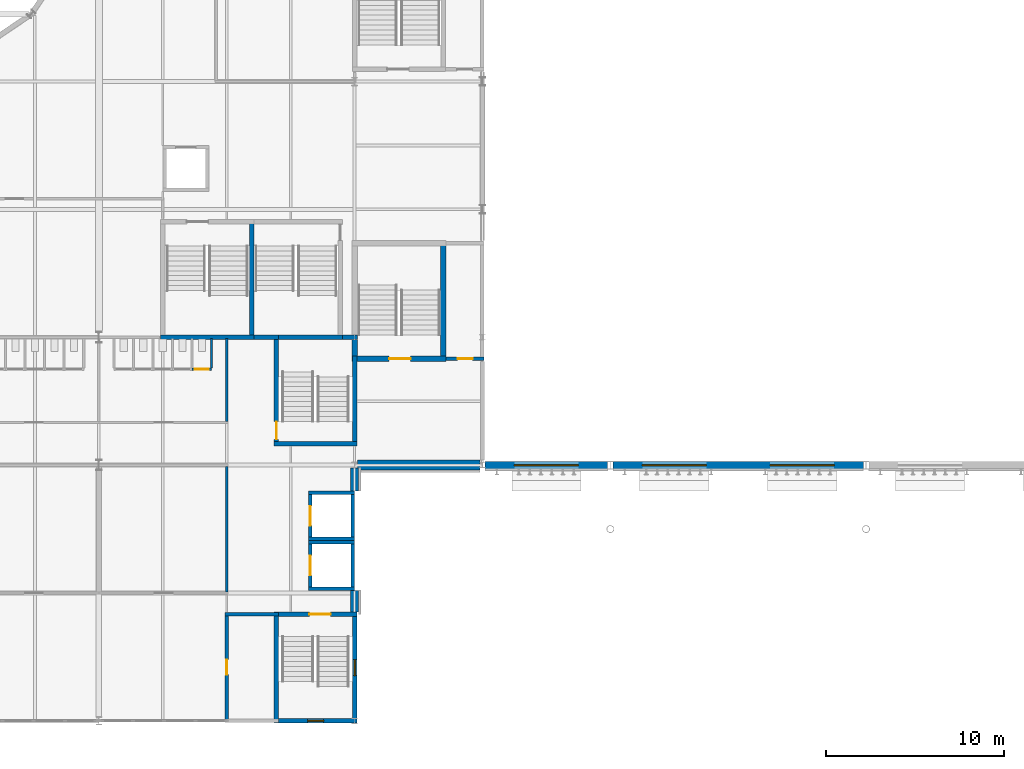
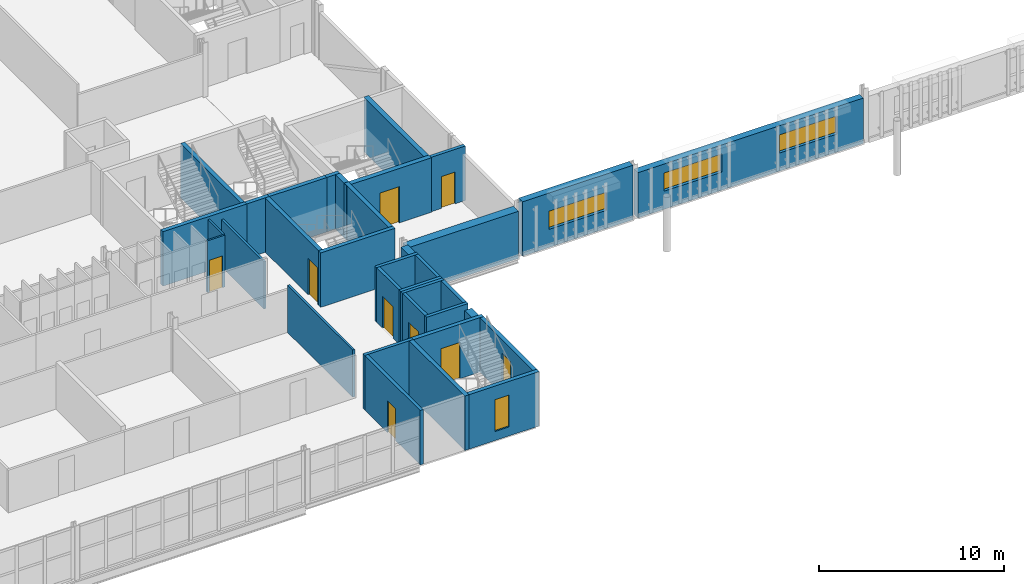
# One storey, part 68 of 124: 35 walls, 8 doors, 5 windows, 13 openings.
"""IFC4 building model written with IfcOpenShell, lengths in metres."""

from ifc_helpers import new_model, si_unit, direction, frame, frame_2d, origin, place, context, subcontext, project, spatial, rectangle, extrude, material, layer, layer_set, type_object, element, fill, save


model = new_model("IFC4")

# Units and contexts
model_context = context("Model", 3, precision=1e-05, world=origin(), true_north=direction((0.0, 1.0)))
body_context = subcontext(model_context, "Body", "Model", "MODEL_VIEW")
ifc_project = project(units=[si_unit("LENGTHUNIT", "METRE"), si_unit("AREAUNIT", "SQUARE_METRE"), si_unit("VOLUMEUNIT", "CUBIC_METRE"), si_unit("PLANEANGLEUNIT", "RADIAN"), si_unit("MASSUNIT", "GRAM", prefix="KILO")], contexts=[model_context])

# Site, building, storey
site_placement = place(None, origin())
site = spatial("IfcSite", under=ifc_project, at=site_placement, CompositionType="ELEMENT")
building_placement = place(site_placement, origin())
building = spatial("IfcBuilding", under=site, at=building_placement, Name="Kupolbacken Congress Centre", CompositionType="ELEMENT")
storey_placement = place(building_placement, frame((0.0, 0.0, 10.800048828125)))
storey = spatial("IfcBuildingStorey", under=building, at=storey_placement, Name="L03", CompositionType="ELEMENT", Elevation=10.800048828125)

# Wall, opening, window
ifc_material_1 = material(Name="Brick", Category="masonry")
ifc_layer_1 = layer(ifc_material_1, 0.10791015625)
ifc_material_2 = material(Name="Air cavity", Category="air")
ifc_layer_2 = layer(ifc_material_2, 0.0400390625, ventilated=True)
ifc_material_3 = material(Name="Mineral wool", Category="insulation")
ifc_layer_3 = layer(ifc_material_3, 0.152099609375)
ifc_material_4 = material(Name="Concrete block", Category="masonry")
ifc_layer_4 = layer(ifc_material_4, 0.1201171875)
ifc_layer_set_1 = layer_set([ifc_layer_1, ifc_layer_2, ifc_layer_3, ifc_layer_4], Name="Brick / Mineral wool / Concrete block")
wall_type_1 = type_object("IfcWallType", Name="EW04 external cavity wall 420", PredefinedType="SOLIDWALL", material=ifc_layer_set_1)
wall_1_placement = place(storey_placement, frame((86.550048828125, 43.199951171875, 0.0), z_axis=(0.0, 0.0, 1.0), x_axis=(1.0, 0.0, 0.0)))
wall_1 = element("IfcWall", 1, at=wall_1_placement, inside=storey, type_object=wall_type_1, Name="E/H/S/L03/362", PredefinedType="SOLIDWALL", context=body_context, shape_type="SweptSolid", body=[
    extrude(rectangle(XDim=6.89990234375, YDim=0.419921875, at=frame_2d((3.449951171875, 0.0))), origin(), (0.0, 0.0, 1.0), 3.599853515625),
])
opening_1_placement = place(wall_1_placement, frame((1.64990234375, 0.0, 1.199951171875)))
opening_1 = element("IfcOpeningElement", 2, at=opening_1_placement, cuts=wall_1, Name="Opening W12", PredefinedType="OPENING", context=body_context, shape_type="SweptSolid", body=[
    extrude(rectangle(XDim=3.60009765625, YDim=1.199951171875, at=frame_2d((1.800048828125, 0.60009765625))), frame((0.0, 0.219970703125, 0.0), z_axis=(0.0, -1.0, 0.0), x_axis=(1.0, 0.0, 0.0)), (0.0, 0.0, 1.0), 0.43994140625),
])
ifc_material_5 = material(Name="Aluminium frame with double or triple glazing", Category="aluminium")
window_type_1 = type_object("IfcWindowType", Name="W12 window 3600x1200", PartitioningType="TRIPLE_PANEL_VERTICAL", PredefinedType="WINDOW", material=ifc_material_5)
window_1_placement = place(opening_1_placement, origin())
window_1 = element("IfcWindow", 3, at=window_1_placement, inside=storey, type_object=window_type_1, Name="E/H/S/L03/362/W1", OverallHeight=1.199951171875, OverallWidth=3.60009765625, PartitioningType="SINGLE_PANEL", PredefinedType="WINDOW", context=body_context, shape_type="SweptSolid", body=[
    extrude(rectangle(XDim=3.60009765625, YDim=1.199951171875, at=frame_2d((1.800048828125, 0.60009765625))), frame((0.0, 0.030029296875, 0.0), z_axis=(0.0, -1.0, 0.0), x_axis=(1.0, 0.0, 0.0)), (0.0, 0.0, 1.0), 0.06005859375),
])
fill(opening_1, window_1)

# Wall, openings, windows
wall_2_placement = place(storey_placement, frame((93.75, 43.199951171875, 0.0), z_axis=(0.0, 0.0, 1.0), x_axis=(1.0, 0.0, 0.0)))
wall_2 = element("IfcWall", 4, at=wall_2_placement, inside=storey, type_object=wall_type_1, Name="E/H/S/L03/363", PredefinedType="SOLIDWALL", context=body_context, shape_type="SweptSolid", body=[
    extrude(rectangle(XDim=14.10009765625, YDim=0.419921875, at=frame_2d((7.050048828125, 0.0))), origin(), (0.0, 0.0, 1.0), 2.9990234375),
])
opening_2_placement = place(wall_2_placement, frame((1.64990234375, 0.0, 1.199951171875)))
opening_2 = element("IfcOpeningElement", 5, at=opening_2_placement, cuts=wall_2, Name="Opening W12", PredefinedType="OPENING", context=body_context, shape_type="SweptSolid", body=[
    extrude(rectangle(XDim=3.60009765625, YDim=1.199951171875, at=frame_2d((1.800048828125, 0.60009765625))), frame((0.0, 0.219970703125, 0.0), z_axis=(0.0, -1.0, 0.0), x_axis=(1.0, 0.0, 0.0)), (0.0, 0.0, 1.0), 0.43994140625),
])
opening_3_placement = place(wall_2_placement, frame((8.85009765625, 0.0, 1.199951171875)))
opening_3 = element("IfcOpeningElement", 6, at=opening_3_placement, cuts=wall_2, Name="Opening W12", PredefinedType="OPENING", context=body_context, shape_type="SweptSolid", body=[
    extrude(rectangle(XDim=3.60009765625, YDim=1.199951171875, at=frame_2d((1.800048828125, 0.60009765625))), frame((0.0, 0.219970703125, 0.0), z_axis=(0.0, -1.0, 0.0), x_axis=(1.0, 0.0, 0.0)), (0.0, 0.0, 1.0), 0.43994140625),
])
window_2_placement = place(opening_2_placement, origin())
window_2 = element("IfcWindow", 7, at=window_2_placement, inside=storey, type_object=window_type_1, Name="E/H/S/L03/363/W1", OverallHeight=1.199951171875, OverallWidth=3.60009765625, PartitioningType="SINGLE_PANEL", PredefinedType="WINDOW", context=body_context, shape_type="SweptSolid", body=[
    extrude(rectangle(XDim=3.60009765625, YDim=1.199951171875, at=frame_2d((1.800048828125, 0.60009765625))), frame((0.0, 0.030029296875, 0.0), z_axis=(0.0, -1.0, 0.0), x_axis=(1.0, 0.0, 0.0)), (0.0, 0.0, 1.0), 0.06005859375),
])
fill(opening_2, window_2)
window_3_placement = place(opening_3_placement, origin())
window_3 = element("IfcWindow", 8, at=window_3_placement, inside=storey, type_object=window_type_1, Name="E/H/S/L03/363/W2", OverallHeight=1.199951171875, OverallWidth=3.60009765625, PartitioningType="SINGLE_PANEL", PredefinedType="WINDOW", context=body_context, shape_type="SweptSolid", body=[
    extrude(rectangle(XDim=3.60009765625, YDim=1.199951171875, at=frame_2d((1.800048828125, 0.60009765625))), frame((0.0, 0.030029296875, 0.0), z_axis=(0.0, -1.0, 0.0), x_axis=(1.0, 0.0, 0.0)), (0.0, 0.0, 1.0), 0.06005859375),
])
fill(opening_3, window_3)

# Walls
ifc_material_6 = material(Name="Concrete C40/50", Category="concrete")
ifc_layer_5 = layer(ifc_material_6, 0.1201171875)
ifc_layer_6 = layer(ifc_material_3, 0.19189453125)
ifc_layer_7 = layer(ifc_material_2, 0.0400390625, ventilated=True)
ifc_layer_8 = layer(ifc_material_1, 0.10791015625)
ifc_layer_set_2 = layer_set([ifc_layer_5, ifc_layer_6, ifc_layer_7, ifc_layer_8], Name="Concrete C40/50 / Mineral wool / Brick")
wall_type_2 = type_object("IfcWallType", Name="EW06 external cavity wall 460", PredefinedType="SOLIDWALL", material=ifc_layer_set_2)
wall_3_placement = place(storey_placement, frame((79.199951171875, 34.925048828125, 0.0), z_axis=(0.0, 0.0, 1.0), x_axis=(0.0, 1.0, 0.0)))
element("IfcWall", 9, at=wall_3_placement, inside=storey, type_object=wall_type_2, Name="E/F/E/L03/324", PredefinedType="SOLIDWALL", context=body_context, shape_type="SweptSolid", body=[
    extrude(rectangle(XDim=1.224853515625, YDim=0.4599609375, at=frame_2d((0.6123046875, 0.0))), origin(), (0.0, 0.0, 1.0), 3.219970703125),
])
wall_4_placement = place(storey_placement, frame((79.199951171875, 41.75, 0.0), z_axis=(0.0, 0.0, 1.0), x_axis=(0.0, 1.0, 0.0)))
element("IfcWall", 10, at=wall_4_placement, inside=storey, type_object=wall_type_2, Name="E/F/E/L03/325", PredefinedType="SOLIDWALL", context=body_context, shape_type="SweptSolid", body=[
    extrude(rectangle(XDim=1.300048828125, YDim=0.4599609375, at=frame_2d((0.64990234375, 0.0))), origin(), (0.0, 0.0, 1.0), 3.219970703125),
])
ifc_layer_9 = layer(ifc_material_6, 0.199951171875)
ifc_layer_10 = layer(ifc_material_3, 0.199951171875)
ifc_layer_11 = layer(ifc_material_2, 0.0400390625, ventilated=True)
ifc_material_7 = material(Name="Limestone", Category="masonry")
ifc_layer_12 = layer(ifc_material_7, 0.1201171875)
ifc_layer_set_3 = layer_set([ifc_layer_9, ifc_layer_10, ifc_layer_11, ifc_layer_12], Name="Concrete C40/50 / Mineral wool / Limestone")
wall_type_3 = type_object("IfcWallType", Name="EW09 external cavity wall 560", PredefinedType="SOLIDWALL", material=ifc_layer_set_3)
wall_5_placement = place(storey_placement, frame((79.35009765625, 43.199951171875, 0.0), z_axis=(0.0, 0.0, 1.0), x_axis=(1.0, 0.0, 0.0)))
element("IfcWall", 11, at=wall_5_placement, inside=storey, type_object=wall_type_3, Name="E/LINK/S/L03/372", PredefinedType="SOLIDWALL", context=body_context, shape_type="SweptSolid", body=[
    extrude(rectangle(XDim=6.89990234375, YDim=0.56005859375, at=frame_2d((3.449951171875, 0.0))), origin(), (0.0, 0.0, 1.0), 3.119873046875),
])

# Wall, opening, door
ifc_material_8 = material(Name="Gypsum board", Category="drywall")
ifc_layer_13 = layer(ifc_material_8, 0.114990234375)
ifc_layer_set_4 = layer_set([ifc_layer_13], Name="Gypsum board")
wall_type_4 = type_object("IfcWallType", Name="P04 partition 115", PredefinedType="PARTITIONING", material=ifc_layer_set_4)
wall_6_placement = place(storey_placement, frame((70.050048828125, 48.60009765625, 0.0), z_axis=(0.0, 0.0, 1.0), x_axis=(1.0, 0.0, 0.0)))
wall_6 = element("IfcWall", 12, at=wall_6_placement, inside=storey, type_object=wall_type_4, Name="PD/L03/F-WC-03/cub05/F", PredefinedType="PARTITIONING", context=body_context, shape_type="SweptSolid", body=[
    extrude(rectangle(XDim=1.099853515625, YDim=0.114990234375, at=frame_2d((0.5498046875, 0.0))), origin(), (0.0, 0.0, 1.0), 3.419921875),
])
opening_4_placement = place(wall_6_placement, frame((0.14990234375, 0.0, 0.0)))
opening_4 = element("IfcOpeningElement", 13, at=opening_4_placement, cuts=wall_6, Name="Opening 3.WF78", PredefinedType="OPENING", context=body_context, shape_type="SweptSolid", body=[
    extrude(rectangle(XDim=0.800048828125, YDim=2.10009765625, at=frame_2d((0.39990234375, 1.050048828125))), frame((0.0, 0.0673828125, 0.0), z_axis=(0.0, -1.0, 0.0), x_axis=(1.0, 0.0, 0.0)), (0.0, 0.0, 1.0), 0.135009765625),
])
ifc_material_9 = material(Name="Timber door leaf", Category="wood")
door_type_1 = type_object("IfcDoorType", Name="D2 door 800x2100", OperationType="SINGLE_SWING_LEFT", PredefinedType="DOOR", material=ifc_material_9)
door_1_placement = place(opening_4_placement, origin())
door_1 = element("IfcDoor", 14, at=door_1_placement, inside=storey, type_object=door_type_1, Name="PD/L03/F-WC-03/cub05/F/DC", OperationType="SINGLE_SWING_LEFT", OverallHeight=2.10009765625, OverallWidth=0.800048828125, PredefinedType="DOOR", context=body_context, shape_type="SweptSolid", body=[
    extrude(rectangle(XDim=0.800048828125, YDim=2.10009765625, at=frame_2d((0.39990234375, 1.050048828125))), frame((0.0, 0.02490234375, 0.0), z_axis=(0.0, -1.0, 0.0), x_axis=(1.0, 0.0, 0.0)), (0.0, 0.0, 1.0), 0.050048828125),
])
fill(opening_4, door_1)

# Walls
wall_7_placement = place(storey_placement, frame((71.14990234375, 50.342529296875, 0.0), z_axis=(0.0, 0.0, 1.0), x_axis=(0.0, -1.0, 0.0)))
element("IfcWall", 15, at=wall_7_placement, inside=storey, type_object=wall_type_4, Name="PD/L03/F-WC-03/cub05/b", PredefinedType="PARTITIONING", context=body_context, shape_type="SweptSolid", body=[
    extrude(rectangle(XDim=1.68505859375, YDim=0.114990234375, at=frame_2d((0.842529296875, 0.0))), origin(), (0.0, 0.0, 1.0), 3.419921875),
])
ifc_material_10 = material(Name="Gypsum board", Category="drywall")
ifc_layer_14 = layer(ifc_material_10, 0.135009765625)
ifc_layer_set_5 = layer_set([ifc_layer_14], Name="Gypsum board")
wall_type_5 = type_object("IfcWallType", Name="P06 compartment wall 135", PredefinedType="PARTITIONING", material=ifc_layer_set_5)
wall_8_placement = place(storey_placement, frame((72.0, 36.0673828125, 0.0), z_axis=(0.0, 0.0, 1.0), x_axis=(0.0, 1.0, 0.0)))
element("IfcWall", 16, at=wall_8_placement, inside=storey, type_object=wall_type_5, Name="PD/L03/W002", PredefinedType="PARTITIONING", context=body_context, shape_type="SweptSolid", body=[
    extrude(rectangle(XDim=7.065185546875, YDim=0.135009765625, at=frame_2d((3.53271484375, 0.0))), origin(), (0.0, 0.0, 1.0), 3.119873046875),
])
wall_9_placement = place(storey_placement, frame((72.0, 45.66748046875, 0.0), z_axis=(0.0, 0.0, 1.0), x_axis=(0.0, 1.0, 0.0)))
element("IfcWall", 17, at=wall_9_placement, inside=storey, type_object=wall_type_5, Name="PD/L03/W003", PredefinedType="PARTITIONING", context=body_context, shape_type="SweptSolid", body=[
    extrude(rectangle(XDim=4.672607421875, YDim=0.135009765625, at=frame_2d((2.33642578125, 0.0))), origin(), (0.0, 0.0, 1.0), 3.119873046875),
])

# Wall, opening, door
ifc_material_11 = material(Name="Concrete C40/50", Category="concrete")
ifc_layer_15 = layer(ifc_material_11, 0.199951171875)
ifc_layer_set_6 = layer_set([ifc_layer_15], Name="Concrete C40/50")
wall_type_6 = type_object("IfcWallType", Name="WC1 RC shaft wall 200", PredefinedType="SHEAR", material=ifc_layer_set_6)
wall_10_placement = place(storey_placement, frame((72.0, 34.89990234375, 0.0), z_axis=(0.0, 0.0, 1.0), x_axis=(0.0, -1.0, 0.0)))
wall_10 = element("IfcWall", 18, at=wall_10_placement, inside=storey, type_object=wall_type_6, Name="Shaft wall L03-010", PredefinedType="SHEAR", context=body_context, shape_type="SweptSolid", body=[
    extrude(rectangle(XDim=6.199951171875, YDim=0.199951171875, at=frame_2d((3.10009765625, 0.0))), origin(), (0.0, 0.0, 1.0), 3.599853515625),
])
opening_5_placement = place(wall_10_placement, frame((2.64990234375, 0.0, 0.0)))
opening_5 = element("IfcOpeningElement", 19, at=opening_5_placement, cuts=wall_10, Name="Opening 3.F06", PredefinedType="OPENING", context=body_context, shape_type="SweptSolid", body=[
    extrude(rectangle(XDim=0.85009765625, YDim=2.10009765625, at=frame_2d((0.425048828125, 1.050048828125))), frame((0.0, 0.10986328125, 0.0), z_axis=(0.0, -1.0, 0.0), x_axis=(1.0, 0.0, 0.0)), (0.0, 0.0, 1.0), 0.219970703125),
])
ifc_material_12 = material(Name="Steel fire door leaf", Category="steel")
door_type_2 = type_object("IfcDoorType", Name="D3 fire door 850x2100", OperationType="SINGLE_SWING_LEFT", PredefinedType="DOOR", material=ifc_material_12)
door_2_placement = place(opening_5_placement, origin())
door_2 = element("IfcDoor", 20, at=door_2_placement, inside=storey, type_object=door_type_2, Name="S/core/L03/010/D3F06", OperationType="SINGLE_SWING_RIGHT", OverallHeight=2.10009765625, OverallWidth=0.85009765625, PredefinedType="DOOR", context=body_context, shape_type="SweptSolid", body=[
    extrude(rectangle(XDim=0.85009765625, YDim=2.10009765625, at=frame_2d((0.425048828125, 1.050048828125))), frame((0.0, 0.02490234375, 0.0), z_axis=(0.0, -1.0, 0.0), x_axis=(1.0, 0.0, 0.0)), (0.0, 0.0, 1.0), 0.050048828125),
])
fill(opening_5, door_2)

# Wall
wall_11_placement = place(storey_placement, frame((74.925048828125, 34.800048828125, 0.0), z_axis=(0.0, 0.0, 1.0), x_axis=(-1.0, 0.0, 0.0)))
element("IfcWall", 21, at=wall_11_placement, inside=storey, type_object=wall_type_6, Name="Shaft wall L03-012", PredefinedType="SHEAR", context=body_context, shape_type="SweptSolid", body=[
    extrude(rectangle(XDim=3.025146484375, YDim=0.199951171875, at=frame_2d((1.5126953125, 0.0))), origin(), (0.0, 0.0, 1.0), 3.599853515625),
])

# Wall, opening, door
wall_12_placement = place(storey_placement, frame((84.35009765625, 49.199951171875, 0.0), z_axis=(0.0, 0.0, 1.0), x_axis=(1.0, 0.0, 0.0)))
wall_12 = element("IfcWall", 22, at=wall_12_placement, inside=storey, type_object=wall_type_6, Name="Shaft wall L03-020", PredefinedType="SHEAR", context=body_context, shape_type="SweptSolid", body=[
    extrude(rectangle(XDim=2.14990234375, YDim=0.199951171875, at=frame_2d((1.074951171875, 0.0))), origin(), (0.0, 0.0, 1.0), 3.599853515625),
])
opening_6_placement = place(wall_12_placement, frame((0.64990234375, 0.0, 0.0)))
opening_6 = element("IfcOpeningElement", 23, at=opening_6_placement, cuts=wall_12, Name="Opening 3.L05", PredefinedType="OPENING", context=body_context, shape_type="SweptSolid", body=[
    extrude(rectangle(XDim=0.85009765625, YDim=2.10009765625, at=frame_2d((0.425048828125, 1.050048828125))), frame((0.0, 0.10986328125, 0.0), z_axis=(0.0, -1.0, 0.0), x_axis=(1.0, 0.0, 0.0)), (0.0, 0.0, 1.0), 0.219970703125),
])
door_3_placement = place(opening_6_placement, origin())
door_3 = element("IfcDoor", 24, at=door_3_placement, inside=storey, type_object=door_type_2, Name="S/core/L03/020/D3L05", OperationType="SINGLE_SWING_LEFT", OverallHeight=2.10009765625, OverallWidth=0.85009765625, PredefinedType="DOOR", context=body_context, shape_type="SweptSolid", body=[
    extrude(rectangle(XDim=0.85009765625, YDim=2.10009765625, at=frame_2d((0.425048828125, 1.050048828125))), frame((0.0, 0.02490234375, 0.0), z_axis=(0.0, -1.0, 0.0), x_axis=(1.0, 0.0, 0.0)), (0.0, 0.0, 1.0), 0.050048828125),
])
fill(opening_6, door_3)

# Walls
for number, where, z_axis, x_axis, name in (
    (25, (76.60009765625, 36.25, 0.0), (0.0, 0.0, 1.0), (1.0, 0.0, 0.0), "Shaft wall LP3"),
    (26, (76.60009765625, 38.85009765625, 0.0), (0.0, 0.0, 1.0), (1.0, 0.0, 0.0), "Shaft wall LP3"),
):
    element("IfcWall", number, at=place(storey_placement, frame(where, z_axis=z_axis, x_axis=x_axis)), inside=storey, type_object=wall_type_6, Name=name, PredefinedType="SHEAR", context=body_context, shape_type="SweptSolid", body=[
        extrude(rectangle(XDim=2.599853515625, YDim=0.199951171875, at=frame_2d((1.2998046875, 0.0))), origin(), (0.0, 0.0, 1.0), 3.599853515625),
    ])

# Wall, opening, door
wall_13_placement = place(storey_placement, frame((76.699951171875, 36.35009765625, 0.0), z_axis=(0.0, 0.0, 1.0), x_axis=(0.0, 1.0, 0.0)))
wall_13 = element("IfcWall", 27, at=wall_13_placement, inside=storey, type_object=wall_type_6, Name="Shaft wall LP3", PredefinedType="SHEAR", context=body_context, shape_type="SweptSolid", body=[
    extrude(rectangle(XDim=2.39990234375, YDim=0.199951171875, at=frame_2d((1.199951171875, 0.0))), origin(), (0.0, 0.0, 1.0), 3.599853515625),
])
opening_7_placement = place(wall_13_placement, frame((0.64990234375, 0.0, 0.0)))
opening_7 = element("IfcOpeningElement", 28, at=opening_7_placement, cuts=wall_13, Name="Opening LD2", PredefinedType="OPENING", context=body_context, shape_type="SweptSolid", body=[
    extrude(rectangle(XDim=1.10009765625, YDim=2.10009765625, at=frame_2d((0.550048828125, 1.050048828125))), frame((0.0, 0.10986328125, 0.0), z_axis=(0.0, -1.0, 0.0), x_axis=(1.0, 0.0, 0.0)), (0.0, 0.0, 1.0), 0.219970703125),
])
ifc_material_13 = material(Name="Stainless steel door leaf", Category="steel")
door_type_3 = type_object("IfcDoorType", Name="LD2 lift landing door 1100x2100", OperationType="SLIDING_TO_LEFT", PredefinedType="DOOR", material=ifc_material_13)
door_4_placement = place(opening_7_placement, origin())
door_4 = element("IfcDoor", 29, at=door_4_placement, inside=storey, type_object=door_type_3, Name="Lift landing door LP3", OperationType="SLIDING_TO_LEFT", OverallHeight=2.10009765625, OverallWidth=1.10009765625, PredefinedType="DOOR", context=body_context, shape_type="SweptSolid", body=[
    extrude(rectangle(XDim=1.10009765625, YDim=2.10009765625, at=frame_2d((0.550048828125, 1.050048828125))), frame((0.0, 0.02490234375, 0.0), z_axis=(0.0, -1.0, 0.0), x_axis=(1.0, 0.0, 0.0)), (0.0, 0.0, 1.0), 0.050048828125),
])
fill(opening_7, door_4)

# Walls
wall_14_placement = place(storey_placement, frame((79.10009765625, 36.35009765625, 0.0), z_axis=(0.0, 0.0, 1.0), x_axis=(0.0, 1.0, 0.0)))
element("IfcWall", 30, at=wall_14_placement, inside=storey, type_object=wall_type_6, Name="Shaft wall LP3", PredefinedType="SHEAR", context=body_context, shape_type="SweptSolid", body=[
    extrude(rectangle(XDim=2.39990234375, YDim=0.199951171875, at=frame_2d((1.199951171875, 0.0))), origin(), (0.0, 0.0, 1.0), 3.599853515625),
])
for number, where, z_axis, x_axis, name in (
    (31, (76.60009765625, 39.050048828125, 0.0), (0.0, 0.0, 1.0), (1.0, 0.0, 0.0), "Shaft wall LP4"),
    (32, (76.60009765625, 41.64990234375, 0.0), (0.0, 0.0, 1.0), (1.0, 0.0, 0.0), "Shaft wall LP4"),
):
    element("IfcWall", number, at=place(storey_placement, frame(where, z_axis=z_axis, x_axis=x_axis)), inside=storey, type_object=wall_type_6, Name=name, PredefinedType="SHEAR", context=body_context, shape_type="SweptSolid", body=[
        extrude(rectangle(XDim=2.599853515625, YDim=0.199951171875, at=frame_2d((1.2998046875, 0.0))), origin(), (0.0, 0.0, 1.0), 3.599853515625),
    ])

# Wall, opening, door
wall_15_placement = place(storey_placement, frame((76.699951171875, 39.14990234375, 0.0), z_axis=(0.0, 0.0, 1.0), x_axis=(0.0, 1.0, 0.0)))
wall_15 = element("IfcWall", 33, at=wall_15_placement, inside=storey, type_object=wall_type_6, Name="Shaft wall LP4", PredefinedType="SHEAR", context=body_context, shape_type="SweptSolid", body=[
    extrude(rectangle(XDim=2.400146484375, YDim=0.199951171875, at=frame_2d((1.2001953125, 0.0))), origin(), (0.0, 0.0, 1.0), 3.599853515625),
])
opening_8_placement = place(wall_15_placement, frame((0.64990234375, 0.0, 0.0)))
opening_8 = element("IfcOpeningElement", 34, at=opening_8_placement, cuts=wall_15, Name="Opening LD2", PredefinedType="OPENING", context=body_context, shape_type="SweptSolid", body=[
    extrude(rectangle(XDim=1.10009765625, YDim=2.10009765625, at=frame_2d((0.550048828125, 1.050048828125))), frame((0.0, 0.10986328125, 0.0), z_axis=(0.0, -1.0, 0.0), x_axis=(1.0, 0.0, 0.0)), (0.0, 0.0, 1.0), 0.219970703125),
])
door_5_placement = place(opening_8_placement, origin())
door_5 = element("IfcDoor", 35, at=door_5_placement, inside=storey, type_object=door_type_3, Name="Lift landing door LP4", OperationType="SLIDING_TO_LEFT", OverallHeight=2.10009765625, OverallWidth=1.10009765625, PredefinedType="DOOR", context=body_context, shape_type="SweptSolid", body=[
    extrude(rectangle(XDim=1.10009765625, YDim=2.10009765625, at=frame_2d((0.550048828125, 1.050048828125))), frame((0.0, 0.02490234375, 0.0), z_axis=(0.0, -1.0, 0.0), x_axis=(1.0, 0.0, 0.0)), (0.0, 0.0, 1.0), 0.050048828125),
])
fill(opening_8, door_5)

# Wall
wall_16_placement = place(storey_placement, frame((79.10009765625, 39.14990234375, 0.0), z_axis=(0.0, 0.0, 1.0), x_axis=(0.0, 1.0, 0.0)))
element("IfcWall", 36, at=wall_16_placement, inside=storey, type_object=wall_type_6, Name="Shaft wall LP4", PredefinedType="SHEAR", context=body_context, shape_type="SweptSolid", body=[
    extrude(rectangle(XDim=2.400146484375, YDim=0.199951171875, at=frame_2d((1.2001953125, 0.0))), origin(), (0.0, 0.0, 1.0), 3.599853515625),
])

# Wall, opening, window
ifc_material_14 = material(Name="Concrete C40/50", Category="concrete")
ifc_layer_16 = layer(ifc_material_14, 0.25)
ifc_layer_set_7 = layer_set([ifc_layer_16], Name="Concrete C40/50")
wall_type_7 = type_object("IfcWallType", Name="WC2 RC stair enclosure wall 250", PredefinedType="SHEAR", material=ifc_layer_set_7)
wall_17_placement = place(storey_placement, frame((74.925048828125, 28.800048828125, 0.0), z_axis=(0.0, 0.0, 1.0), x_axis=(1.0, 0.0, 0.0)))
wall_17 = element("IfcWall", 37, at=wall_17_placement, inside=storey, type_object=wall_type_7, Name="Stair enclosure wall L03-005", PredefinedType="SHEAR", context=body_context, shape_type="SweptSolid", body=[
    extrude(rectangle(XDim=4.39990234375, YDim=0.25, at=frame_2d((2.199951171875, 0.0))), origin(), (0.0, 0.0, 1.0), 3.599853515625),
])
opening_9_placement = place(wall_17_placement, frame((1.625, 0.0, 0.60009765625)))
opening_9 = element("IfcOpeningElement", 38, at=opening_9_placement, cuts=wall_17, Name="Opening W28", PredefinedType="OPENING", context=body_context, shape_type="SweptSolid", body=[
    extrude(rectangle(XDim=0.89990234375, YDim=2.10009765625, at=frame_2d((0.449951171875, 1.050048828125))), frame((0.0, 0.135009765625, 0.0), z_axis=(0.0, -1.0, 0.0), x_axis=(1.0, 0.0, 0.0)), (0.0, 0.0, 1.0), 0.27001953125),
])
ifc_material_15 = material(Name="Aluminium frame with double or triple glazing", Category="aluminium")
window_type_2 = type_object("IfcWindowType", Name="W28 window 900x2100", PartitioningType="SINGLE_PANEL", PredefinedType="WINDOW", material=ifc_material_15)
window_4_placement = place(opening_9_placement, origin())
window_4 = element("IfcWindow", 39, at=window_4_placement, inside=storey, type_object=window_type_2, Name="S/core/L03/005/W1/L03", OverallHeight=2.10009765625, OverallWidth=0.89990234375, PartitioningType="SINGLE_PANEL", PredefinedType="WINDOW", context=body_context, shape_type="SweptSolid", body=[
    extrude(rectangle(XDim=0.89990234375, YDim=2.10009765625, at=frame_2d((0.449951171875, 1.050048828125))), frame((0.0, 0.030029296875, 0.0), z_axis=(0.0, -1.0, 0.0), x_axis=(1.0, 0.0, 0.0)), (0.0, 0.0, 1.0), 0.06005859375),
])
fill(opening_9, window_4)

wall_18_placement = place(storey_placement, frame((79.199951171875, 28.675048828125, 0.0), z_axis=(0.0, 0.0, 1.0), x_axis=(0.0, 1.0, 0.0)))
wall_18 = element("IfcWall", 40, at=wall_18_placement, inside=storey, type_object=wall_type_7, Name="Stair enclosure wall L03-006", PredefinedType="SHEAR", context=body_context, shape_type="SweptSolid", body=[
    extrude(rectangle(XDim=6.25, YDim=0.25, at=frame_2d((3.125, 0.0))), origin(), (0.0, 0.0, 1.0), 3.599853515625),
])
opening_10_placement = place(wall_18_placement, frame((2.675048828125, 0.0, 0.60009765625)))
opening_10 = element("IfcOpeningElement", 41, at=opening_10_placement, cuts=wall_18, Name="Opening W28", PredefinedType="OPENING", context=body_context, shape_type="SweptSolid", body=[
    extrude(rectangle(XDim=0.89990234375, YDim=2.10009765625, at=frame_2d((0.449951171875, 1.050048828125))), frame((0.0, 0.135009765625, 0.0), z_axis=(0.0, -1.0, 0.0), x_axis=(1.0, 0.0, 0.0)), (0.0, 0.0, 1.0), 0.27001953125),
])
window_5_placement = place(opening_10_placement, origin())
window_5 = element("IfcWindow", 42, at=window_5_placement, inside=storey, type_object=window_type_2, Name="S/core/L03/006/W1/L03", OverallHeight=2.10009765625, OverallWidth=0.89990234375, PartitioningType="SINGLE_PANEL", PredefinedType="WINDOW", context=body_context, shape_type="SweptSolid", body=[
    extrude(rectangle(XDim=0.89990234375, YDim=2.10009765625, at=frame_2d((0.449951171875, 1.050048828125))), frame((0.0, 0.030029296875, 0.0), z_axis=(0.0, -1.0, 0.0), x_axis=(1.0, 0.0, 0.0)), (0.0, 0.0, 1.0), 0.06005859375),
])
fill(opening_10, window_5)

# Wall
wall_19_placement = place(storey_placement, frame((74.800048828125, 34.925048828125, 0.0), z_axis=(0.0, 0.0, 1.0), x_axis=(0.0, -1.0, 0.0)))
element("IfcWall", 43, at=wall_19_placement, inside=storey, type_object=wall_type_7, Name="Stair enclosure wall L03-011", PredefinedType="SHEAR", context=body_context, shape_type="SweptSolid", body=[
    extrude(rectangle(XDim=6.25, YDim=0.25, at=frame_2d((3.125, 0.0))), origin(), (0.0, 0.0, 1.0), 3.599853515625),
])

# Wall, opening, door
wall_20_placement = place(storey_placement, frame((79.324951171875, 34.800048828125, 0.0), z_axis=(0.0, 0.0, 1.0), x_axis=(-1.0, 0.0, 0.0)))
wall_20 = element("IfcWall", 44, at=wall_20_placement, inside=storey, type_object=wall_type_7, Name="Stair enclosure wall L03-013", PredefinedType="SHEAR", context=body_context, shape_type="SweptSolid", body=[
    extrude(rectangle(XDim=4.39990234375, YDim=0.25, at=frame_2d((2.199951171875, 0.0))), origin(), (0.0, 0.0, 1.0), 3.599853515625),
])
opening_11_placement = place(wall_20_placement, frame((1.47509765625, 0.0, 0.0)))
opening_11 = element("IfcOpeningElement", 45, at=opening_11_placement, cuts=wall_20, Name="Opening 3.F04", PredefinedType="OPENING", context=body_context, shape_type="SweptSolid", body=[
    extrude(rectangle(XDim=1.199951171875, YDim=2.39990234375, at=frame_2d((0.60009765625, 1.199951171875))), frame((0.0, 0.135009765625, 0.0), z_axis=(0.0, -1.0, 0.0), x_axis=(1.0, 0.0, 0.0)), (0.0, 0.0, 1.0), 0.27001953125),
])
ifc_material_16 = material(Name="Steel fire door leaf", Category="steel")
door_type_4 = type_object("IfcDoorType", Name="D9 fire door 1200x2400", OperationType="SINGLE_SWING_LEFT", PredefinedType="DOOR", material=ifc_material_16)
door_6_placement = place(opening_11_placement, origin())
door_6 = element("IfcDoor", 46, at=door_6_placement, inside=storey, type_object=door_type_4, Name="S/core/L03/013/D3F04", OperationType="SINGLE_SWING_RIGHT", OverallHeight=2.39990234375, OverallWidth=1.199951171875, PredefinedType="DOOR", context=body_context, shape_type="SweptSolid", body=[
    extrude(rectangle(XDim=1.199951171875, YDim=2.39990234375, at=frame_2d((0.60009765625, 1.199951171875))), frame((0.0, 0.02490234375, 0.0), z_axis=(0.0, -1.0, 0.0), x_axis=(1.0, 0.0, 0.0)), (0.0, 0.0, 1.0), 0.050048828125),
])
fill(opening_11, door_6)

# Walls
wall_21_placement = place(storey_placement, frame((74.675048828125, 44.39990234375, 0.0), z_axis=(0.0, 0.0, 1.0), x_axis=(1.0, 0.0, 0.0)))
element("IfcWall", 47, at=wall_21_placement, inside=storey, type_object=wall_type_7, Name="Stair enclosure wall L03-016", PredefinedType="SHEAR", context=body_context, shape_type="SweptSolid", body=[
    extrude(rectangle(XDim=4.64990234375, YDim=0.25, at=frame_2d((2.324951171875, 0.0))), origin(), (0.0, 0.0, 1.0), 3.599853515625),
])
wall_22_placement = place(storey_placement, frame((79.199951171875, 44.27490234375, 0.0), z_axis=(0.0, 0.0, 1.0), x_axis=(0.0, 1.0, 0.0)))
element("IfcWall", 48, at=wall_22_placement, inside=storey, type_object=wall_type_7, Name="Stair enclosure wall L03-017", PredefinedType="SHEAR", context=body_context, shape_type="SweptSolid", body=[
    extrude(rectangle(XDim=5.0751953125, YDim=0.25, at=frame_2d((2.53759765625, 0.0))), origin(), (0.0, 0.0, 1.0), 3.599853515625),
])
wall_23_placement = place(storey_placement, frame((68.27490234375, 50.39990234375, 0.0), z_axis=(0.0, 0.0, 1.0), x_axis=(1.0, 0.0, 0.0)))
element("IfcWall", 49, at=wall_23_placement, inside=storey, type_object=wall_type_7, Name="Stair enclosure wall L03-027", PredefinedType="SHEAR", context=body_context, shape_type="SweptSolid", body=[
    extrude(rectangle(XDim=5.25, YDim=0.25, at=frame_2d((2.625, 0.0))), origin(), (0.0, 0.0, 1.0), 3.599853515625),
])
wall_24_placement = place(storey_placement, frame((73.52490234375, 50.39990234375, 0.0), z_axis=(0.0, 0.0, 1.0), x_axis=(1.0, 0.0, 0.0)))
element("IfcWall", 50, at=wall_24_placement, inside=storey, type_object=wall_type_7, Name="Stair enclosure wall L03-028", PredefinedType="SHEAR", context=body_context, shape_type="SweptSolid", body=[
    extrude(rectangle(XDim=1.400146484375, YDim=0.25, at=frame_2d((0.7001953125, 0.0))), origin(), (0.0, 0.0, 1.0), 3.599853515625),
])
wall_25_placement = place(storey_placement, frame((73.39990234375, 50.27490234375, 0.0), z_axis=(0.0, 0.0, 1.0), x_axis=(0.0, 1.0, 0.0)))
element("IfcWall", 51, at=wall_25_placement, inside=storey, type_object=wall_type_7, Name="Stair enclosure wall L03-029", PredefinedType="SHEAR", context=body_context, shape_type="SweptSolid", body=[
    extrude(rectangle(XDim=6.75, YDim=0.25, at=frame_2d((3.375, 0.0))), origin(), (0.0, 0.0, 1.0), 3.599853515625),
])

# Wall, opening, door
wall_26_placement = place(storey_placement, frame((74.800048828125, 50.52490234375, 0.0), z_axis=(0.0, 0.0, 1.0), x_axis=(0.0, -1.0, 0.0)))
wall_26 = element("IfcWall", 52, at=wall_26_placement, inside=storey, type_object=wall_type_7, Name="Stair enclosure wall L03-030", PredefinedType="SHEAR", context=body_context, shape_type="SweptSolid", body=[
    extrude(rectangle(XDim=6.25, YDim=0.25, at=frame_2d((3.125, 0.0))), origin(), (0.0, 0.0, 1.0), 3.599853515625),
])
opening_12_placement = place(wall_26_placement, frame((4.875, 0.0, 0.0)))
opening_12 = element("IfcOpeningElement", 53, at=opening_12_placement, cuts=wall_26, Name="Opening 3.F05", PredefinedType="OPENING", context=body_context, shape_type="SweptSolid", body=[
    extrude(rectangle(XDim=1.0, YDim=2.39990234375, at=frame_2d((0.5, 1.199951171875))), frame((0.0, 0.135009765625, 0.0), z_axis=(0.0, -1.0, 0.0), x_axis=(1.0, 0.0, 0.0)), (0.0, 0.0, 1.0), 0.27001953125),
])
ifc_material_17 = material(Name="Steel fire door leaf", Category="steel")
door_type_5 = type_object("IfcDoorType", Name="D8 fire door 1000x2400", OperationType="SINGLE_SWING_LEFT", PredefinedType="DOOR", material=ifc_material_17)
door_7_placement = place(opening_12_placement, origin())
door_7 = element("IfcDoor", 54, at=door_7_placement, inside=storey, type_object=door_type_5, Name="S/core/L03/030/D3F05", OperationType="SINGLE_SWING_LEFT", OverallHeight=2.39990234375, OverallWidth=1.0, PredefinedType="DOOR", context=body_context, shape_type="SweptSolid", body=[
    extrude(rectangle(XDim=1.0, YDim=2.39990234375, at=frame_2d((0.5, 1.199951171875))), frame((0.0, 0.02490234375, 0.0), z_axis=(0.0, -1.0, 0.0), x_axis=(1.0, 0.0, 0.0)), (0.0, 0.0, 1.0), 0.050048828125),
])
fill(opening_12, door_7)

# Walls
wall_27_placement = place(storey_placement, frame((78.52490234375, 50.39990234375, 0.0), z_axis=(0.0, 0.0, 1.0), x_axis=(-1.0, 0.0, 0.0)))
element("IfcWall", 55, at=wall_27_placement, inside=storey, type_object=wall_type_7, Name="Stair enclosure wall L03-031", PredefinedType="SHEAR", context=body_context, shape_type="SweptSolid", body=[
    extrude(rectangle(XDim=3.599853515625, YDim=0.25, at=frame_2d((1.7998046875, 0.0))), origin(), (0.0, 0.0, 1.0), 3.599853515625),
])
wall_28_placement = place(storey_placement, frame((79.35009765625, 50.39990234375, 0.0), z_axis=(0.0, 0.0, 1.0), x_axis=(-1.0, 0.0, 0.0)))
element("IfcWall", 56, at=wall_28_placement, inside=storey, type_object=wall_type_7, Name="Stair enclosure wall L03-033", PredefinedType="SHEAR", context=body_context, shape_type="SweptSolid", body=[
    extrude(rectangle(XDim=0.8251953125, YDim=0.25, at=frame_2d((0.41259765625, 0.0))), origin(), (0.0, 0.0, 1.0), 3.599853515625),
])

# Wall, opening, door
ifc_material_18 = material(Name="Concrete C40/50", Category="concrete")
ifc_layer_17 = layer(ifc_material_18, 0.300048828125)
ifc_layer_set_8 = layer_set([ifc_layer_17], Name="Concrete C40/50")
wall_type_8 = type_object("IfcWallType", Name="WC3 RC core wall 300", PredefinedType="SHEAR", material=ifc_layer_set_8)
wall_29_placement = place(storey_placement, frame((79.050048828125, 49.199951171875, 0.0), z_axis=(0.0, 0.0, 1.0), x_axis=(1.0, 0.0, 0.0)))
wall_29 = element("IfcWall", 57, at=wall_29_placement, inside=storey, type_object=wall_type_8, Name="Core wall L03-018", PredefinedType="SHEAR", context=body_context, shape_type="SweptSolid", body=[
    extrude(rectangle(XDim=5.300048828125, YDim=0.300048828125, at=frame_2d((2.64990234375, 0.0))), origin(), (0.0, 0.0, 1.0), 3.599853515625),
])
opening_13_placement = place(wall_29_placement, frame((2.10009765625, 0.0, 0.0)))
opening_13 = element("IfcOpeningElement", 58, at=opening_13_placement, cuts=wall_29, Name="Opening 3.L01", PredefinedType="OPENING", context=body_context, shape_type="SweptSolid", body=[
    extrude(rectangle(XDim=1.199951171875, YDim=2.39990234375, at=frame_2d((0.60009765625, 1.199951171875))), frame((0.0, 0.159912109375, 0.0), z_axis=(0.0, -1.0, 0.0), x_axis=(1.0, 0.0, 0.0)), (0.0, 0.0, 1.0), 0.320068359375),
])
door_8_placement = place(opening_13_placement, origin())
door_8 = element("IfcDoor", 59, at=door_8_placement, inside=storey, type_object=door_type_4, Name="S/core/L03/018/D3L01", OperationType="SINGLE_SWING_LEFT", OverallHeight=2.39990234375, OverallWidth=1.199951171875, PredefinedType="DOOR", context=body_context, shape_type="SweptSolid", body=[
    extrude(rectangle(XDim=1.199951171875, YDim=2.39990234375, at=frame_2d((0.60009765625, 1.199951171875))), frame((0.0, 0.02490234375, 0.0), z_axis=(0.0, -1.0, 0.0), x_axis=(1.0, 0.0, 0.0)), (0.0, 0.0, 1.0), 0.050048828125),
])
fill(opening_13, door_8)

# Walls
wall_30_placement = place(storey_placement, frame((79.199951171875, 49.35009765625, 0.0), z_axis=(0.0, 0.0, 1.0), x_axis=(0.0, 1.0, 0.0)))
element("IfcWall", 60, at=wall_30_placement, inside=storey, type_object=wall_type_8, Name="Core wall L03-019", PredefinedType="SHEAR", context=body_context, shape_type="SweptSolid", body=[
    extrude(rectangle(XDim=1.1748046875, YDim=0.300048828125, at=frame_2d((0.58740234375, 0.0))), origin(), (0.0, 0.0, 1.0), 3.599853515625),
])
wall_31_placement = place(storey_placement, frame((84.199951171875, 49.050048828125, 0.0), z_axis=(0.0, 0.0, 1.0), x_axis=(0.0, 1.0, 0.0)))
element("IfcWall", 61, at=wall_31_placement, inside=storey, type_object=wall_type_8, Name="Core wall L03-021", PredefinedType="SHEAR", context=body_context, shape_type="SweptSolid", body=[
    extrude(rectangle(XDim=6.800048828125, YDim=0.300048828125, at=frame_2d((3.39990234375, 0.0))), origin(), (0.0, 0.0, 1.0), 3.599853515625),
])

save(model, "model.ifc")
